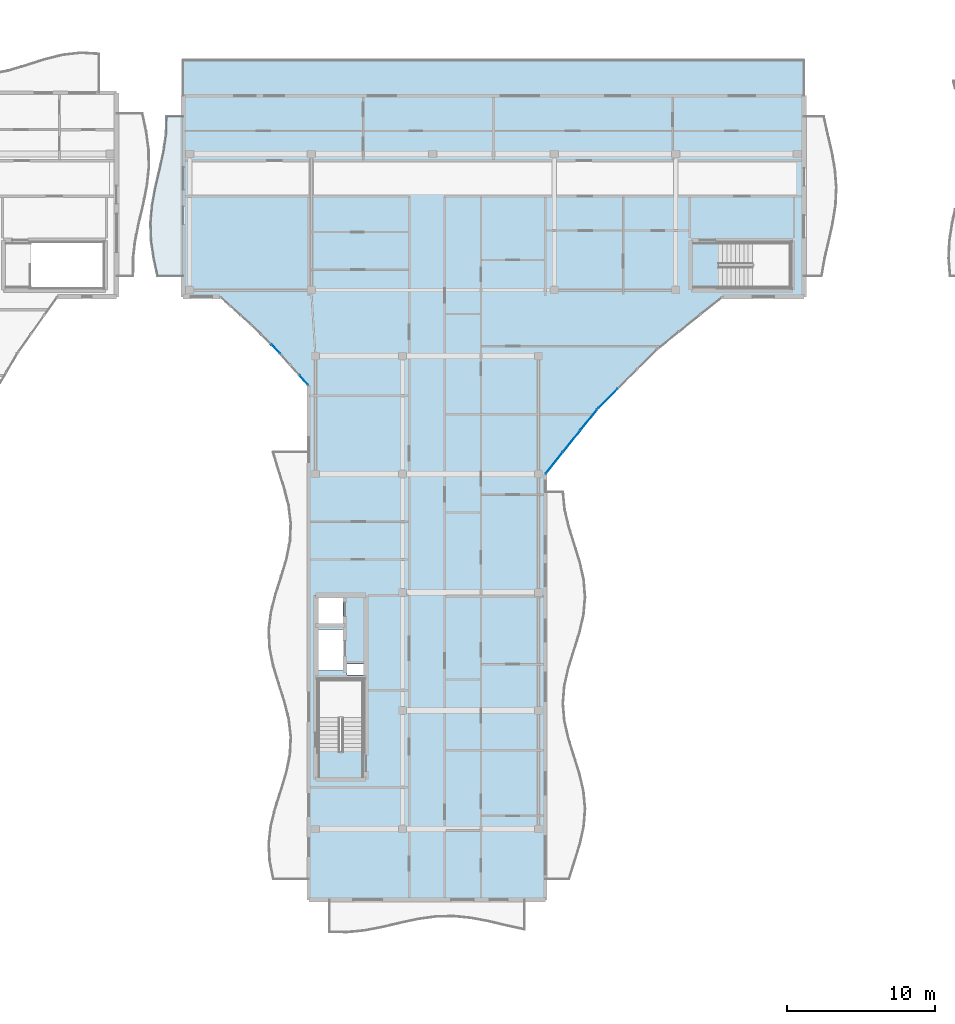
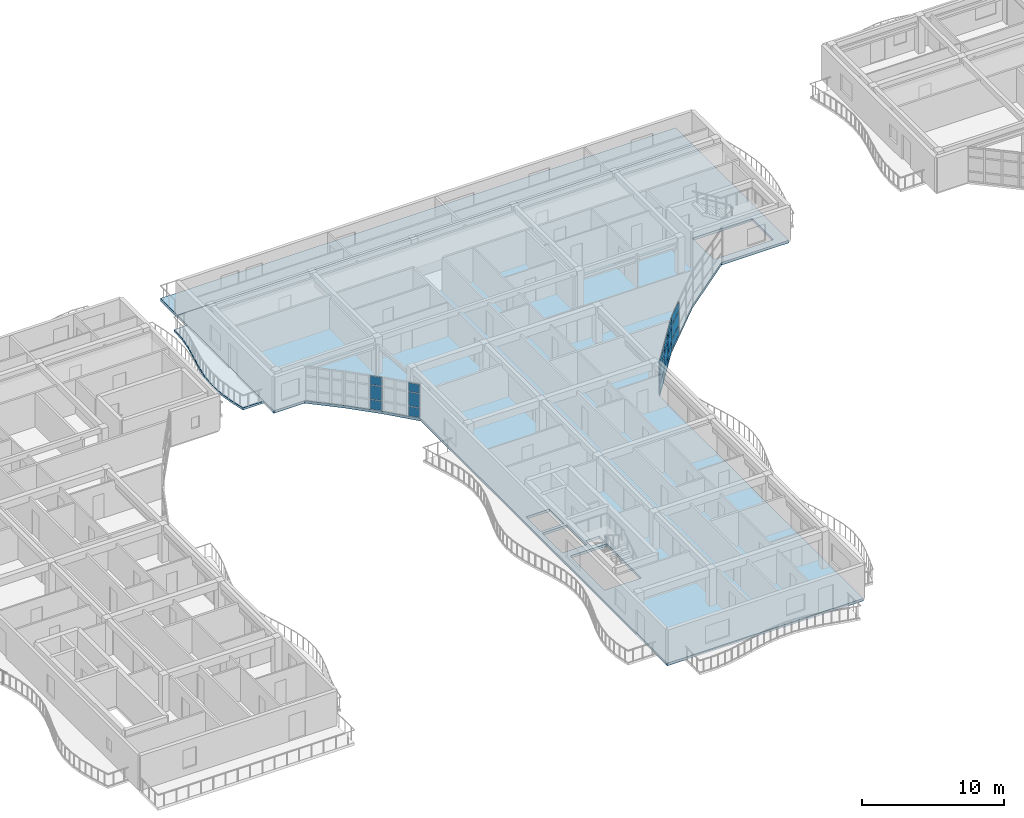
# One storey, part 24 of 68: 18 plates, 3 slabs, 4 elements without a shape of their own.
"""IFC4 building model written with IfcOpenShell, lengths in metres."""

from ifc_helpers import new_model, si_unit, direction, frame, origin, origin_2d, place, context, subcontext, project, spatial, polyline, rectangle, outline, extrude, material, layer, layer_set, type_object, element, aggregate, save


model = new_model("IFC4")

# Units and contexts
model_context = context("Model", 3, precision=1e-05, world=origin(), true_north=direction((0.0, 1.0)))
body_context = subcontext(model_context, "Body", "Model", "MODEL_VIEW")
ifc_project = project(units=[si_unit("LENGTHUNIT", "METRE"), si_unit("AREAUNIT", "SQUARE_METRE"), si_unit("VOLUMEUNIT", "CUBIC_METRE"), si_unit("PLANEANGLEUNIT", "RADIAN"), si_unit("MASSUNIT", "GRAM", prefix="KILO")], contexts=[model_context])

# Site, building, storey
site_placement = place(None, origin())
site = spatial("IfcSite", under=ifc_project, at=site_placement, CompositionType="ELEMENT")
building_placement = place(site_placement, origin())
building = spatial("IfcBuilding", under=site, at=building_placement, Name="Keldmere Railside Commons", CompositionType="ELEMENT")
storey_placement = place(building_placement, frame((0.0, 0.0, 23.360107421875)))
storey = spatial("IfcBuildingStorey", under=building, at=storey_placement, Name="L07", CompositionType="ELEMENT", Elevation=23.360107421875)

# Curtain wall, plates
ifc_material_1 = material(Name="Thermally Broken Aluminium", Category="aluminium")
ifc_layer_1 = layer(ifc_material_1, 0.159912109375, Name="Court Chord Wintergarden CW 5400x2850")
ifc_layer_set_1 = layer_set([ifc_layer_1], Name="Thermally Broken Aluminium")
curtain_wall_type_1 = type_object("IfcCurtainWallType", Name="Court Chord Wintergarden CW 5400x2850", PredefinedType="NOTDEFINED", material=ifc_layer_set_1)
curtain_wall_1_placement = place(storey_placement, origin())
curtain_wall_1 = element("IfcCurtainWall", 1, at=curtain_wall_1_placement, inside=storey, type_object=curtain_wall_type_1, Name="CW-13 CW-L07-068", PredefinedType="NOTDEFINED")
ifc_material_2 = material(Name="Insulated Aluminium Spandrel Panel", Category="aluminium")
ifc_layer_2 = layer(ifc_material_2, 0.0439453125, Name="Insulated Ocher Spandrel Panel 44")
ifc_layer_set_2 = layer_set([ifc_layer_2], Name="Insulated Aluminium Spandrel Panel")
plate_type_1 = type_object("IfcPlateType", Name="Insulated Ocher Spandrel Panel 44", PredefinedType="CURTAIN_PANEL", material=ifc_layer_set_2)
plate_1_placement = place(storey_placement, frame((68.23486328125, 93.11083984375, 0.06494140625), z_axis=(0.0, 0.0, 1.0), x_axis=(-0.707106781187, -0.707106781187, 0.0)))
plate_1 = element("IfcPlate", 2, at=plate_1_placement, type_object=plate_type_1, Name="CW-13 panel 3.1", PredefinedType="CURTAIN_PANEL", context=body_context, shape_type="SweptSolid", body=[
    extrude(rectangle(XDim=1.795654296875, YDim=0.0439453125, at=origin_2d()), origin(), (0.0, 0.0, 1.0), 0.802490234375),
])
plate_2_placement = place(storey_placement, frame((68.23486328125, 93.11083984375, 0.932373046875), z_axis=(0.0, 0.0, 1.0), x_axis=(-0.707106781187, -0.707106781187, 0.0)))
plate_2 = element("IfcPlate", 3, at=plate_2_placement, type_object=plate_type_1, Name="CW-13 panel 3.2", PredefinedType="CURTAIN_PANEL", context=body_context, shape_type="SweptSolid", body=[
    extrude(rectangle(XDim=1.795654296875, YDim=0.0439453125, at=origin_2d()), origin(), (0.0, 0.0, 1.0), 1.18505859375),
])
plate_3_placement = place(storey_placement, frame((68.23486328125, 93.11083984375, 2.182373046875), z_axis=(0.0, 0.0, 1.0), x_axis=(-0.707106781187, -0.707106781187, 0.0)))
plate_3 = element("IfcPlate", 4, at=plate_3_placement, type_object=plate_type_1, Name="CW-13 panel 3.3", PredefinedType="CURTAIN_PANEL", context=body_context, shape_type="SweptSolid", body=[
    extrude(rectangle(XDim=1.795654296875, YDim=0.0439453125, at=origin_2d()), origin(), (0.0, 0.0, 1.0), 0.732421875),
])
aggregate(curtain_wall_1, [plate_1, plate_2, plate_3])

ifc_layer_3 = layer(ifc_material_1, 0.159912109375, Name="Court Chord Wintergarden CW 4800x2850")
ifc_layer_set_3 = layer_set([ifc_layer_3], Name="Thermally Broken Aluminium")
curtain_wall_type_2 = type_object("IfcCurtainWallType", Name="Court Chord Wintergarden CW 4800x2850", PredefinedType="NOTDEFINED", material=ifc_layer_set_3)
curtain_wall_2_placement = place(storey_placement, origin())
curtain_wall_2 = element("IfcCurtainWall", 5, at=curtain_wall_2_placement, inside=storey, type_object=curtain_wall_type_2, Name="CW-12 CW-L07-072", PredefinedType="NOTDEFINED")
plate_4_placement = place(storey_placement, frame((47.674072265625, 94.363525390625, 0.06494140625), z_axis=(0.0, 0.0, 1.0), x_axis=(-0.667558519879, 0.744557333277, 0.0)))
plate_4 = element("IfcPlate", 6, at=plate_4_placement, type_object=plate_type_1, Name="CW-12 panel 1.1", PredefinedType="CURTAIN_PANEL", context=body_context, shape_type="SweptSolid", body=[
    extrude(rectangle(XDim=0.84619140625, YDim=0.0439453125, at=origin_2d()), origin(), (0.0, 0.0, 1.0), 0.802490234375),
])
plate_5_placement = place(storey_placement, frame((47.674072265625, 94.363525390625, 0.932373046875), z_axis=(0.0, 0.0, 1.0), x_axis=(-0.667558519879, 0.744557333277, 0.0)))
plate_5 = element("IfcPlate", 7, at=plate_5_placement, type_object=plate_type_1, Name="CW-12 panel 1.2", PredefinedType="CURTAIN_PANEL", context=body_context, shape_type="SweptSolid", body=[
    extrude(rectangle(XDim=0.84619140625, YDim=0.0439453125, at=origin_2d()), origin(), (0.0, 0.0, 1.0), 1.18505859375),
])
plate_6_placement = place(storey_placement, frame((47.674072265625, 94.363525390625, 2.182373046875), z_axis=(0.0, 0.0, 1.0), x_axis=(-0.667558519879, 0.744557333277, 0.0)))
plate_6 = element("IfcPlate", 8, at=plate_6_placement, type_object=plate_type_1, Name="CW-12 panel 1.3", PredefinedType="CURTAIN_PANEL", context=body_context, shape_type="SweptSolid", body=[
    extrude(rectangle(XDim=0.84619140625, YDim=0.0439453125, at=origin_2d()), origin(), (0.0, 0.0, 1.0), 0.732421875),
])
aggregate(curtain_wall_2, [plate_4, plate_5, plate_6])

curtain_wall_3_placement = place(storey_placement, origin())
curtain_wall_3 = element("IfcCurtainWall", 9, at=curtain_wall_3_placement, inside=storey, type_object=curtain_wall_type_2, Name="CW-12 CW-L07-067", PredefinedType="NOTDEFINED")
ifc_layer_4 = layer(ifc_material_2, 0.050048828125, Name="Insulated Terracotta Spandrel Panel 50")
ifc_layer_set_4 = layer_set([ifc_layer_4], Name="Insulated Aluminium Spandrel Panel")
plate_type_2 = type_object("IfcPlateType", Name="Insulated Terracotta Spandrel Panel 50", PredefinedType="CURTAIN_PANEL", material=ifc_layer_set_4)
plate_7_placement = place(storey_placement, frame((66.951416015625, 91.678955078125, 0.06494140625), z_axis=(0.0, 0.0, 1.0), x_axis=(-0.625768080915, -0.780009172323, 0.0)))
plate_7 = element("IfcPlate", 10, at=plate_7_placement, type_object=plate_type_2, Name="CW-12 panel 1.1", PredefinedType="CURTAIN_PANEL", context=body_context, shape_type="SweptSolid", body=[
    extrude(rectangle(XDim=1.795654296875, YDim=0.050048828125, at=origin_2d()), origin(), (0.0, 0.0, 1.0), 0.802490234375),
])
plate_8_placement = place(storey_placement, frame((66.951416015625, 91.678955078125, 0.932373046875), z_axis=(0.0, 0.0, 1.0), x_axis=(-0.625768080915, -0.780009172323, 0.0)))
plate_8 = element("IfcPlate", 11, at=plate_8_placement, type_object=plate_type_2, Name="CW-12 panel 1.2", PredefinedType="CURTAIN_PANEL", context=body_context, shape_type="SweptSolid", body=[
    extrude(rectangle(XDim=1.795654296875, YDim=0.050048828125, at=origin_2d()), origin(), (0.0, 0.0, 1.0), 1.18505859375),
])
plate_9_placement = place(storey_placement, frame((66.951416015625, 91.678955078125, 2.182373046875), z_axis=(0.0, 0.0, 1.0), x_axis=(-0.625768080915, -0.780009172323, 0.0)))
plate_9 = element("IfcPlate", 12, at=plate_9_placement, type_object=plate_type_2, Name="CW-12 panel 1.3", PredefinedType="CURTAIN_PANEL", context=body_context, shape_type="SweptSolid", body=[
    extrude(rectangle(XDim=1.795654296875, YDim=0.050048828125, at=origin_2d()), origin(), (0.0, 0.0, 1.0), 0.732421875),
])
plate_10_placement = place(storey_placement, frame((65.777099609375, 90.215087890625, 0.06494140625), z_axis=(0.0, 0.0, 1.0), x_axis=(-0.625768080915, -0.780009172323, 0.0)))
plate_10 = element("IfcPlate", 13, at=plate_10_placement, type_object=plate_type_2, Name="CW-12 panel 2.1", PredefinedType="CURTAIN_PANEL", context=body_context, shape_type="SweptSolid", body=[
    extrude(rectangle(XDim=1.828125, YDim=0.050048828125, at=origin_2d()), origin(), (0.0, 0.0, 1.0), 0.802490234375),
])
plate_11_placement = place(storey_placement, frame((65.777099609375, 90.215087890625, 0.932373046875), z_axis=(0.0, 0.0, 1.0), x_axis=(-0.625768080915, -0.780009172323, 0.0)))
plate_11 = element("IfcPlate", 14, at=plate_11_placement, type_object=plate_type_2, Name="CW-12 panel 2.2", PredefinedType="CURTAIN_PANEL", context=body_context, shape_type="SweptSolid", body=[
    extrude(rectangle(XDim=1.828125, YDim=0.050048828125, at=origin_2d()), origin(), (0.0, 0.0, 1.0), 1.18505859375),
])
plate_12_placement = place(storey_placement, frame((65.777099609375, 90.215087890625, 2.182373046875), z_axis=(0.0, 0.0, 1.0), x_axis=(-0.625768080915, -0.780009172323, 0.0)))
plate_12 = element("IfcPlate", 15, at=plate_12_placement, type_object=plate_type_2, Name="CW-12 panel 2.3", PredefinedType="CURTAIN_PANEL", context=body_context, shape_type="SweptSolid", body=[
    extrude(rectangle(XDim=1.828125, YDim=0.050048828125, at=origin_2d()), origin(), (0.0, 0.0, 1.0), 0.732421875),
])
plate_13_placement = place(storey_placement, frame((64.6025390625, 88.7509765625, 0.06494140625), z_axis=(0.0, 0.0, 1.0), x_axis=(-0.625768080915, -0.780009172323, 0.0)))
plate_13 = element("IfcPlate", 16, at=plate_13_placement, type_object=plate_type_2, Name="CW-12 panel 3.1", PredefinedType="CURTAIN_PANEL", context=body_context, shape_type="SweptSolid", body=[
    extrude(rectangle(XDim=1.795654296875, YDim=0.050048828125, at=origin_2d()), origin(), (0.0, 0.0, 1.0), 0.802490234375),
])
plate_14_placement = place(storey_placement, frame((64.6025390625, 88.7509765625, 0.932373046875), z_axis=(0.0, 0.0, 1.0), x_axis=(-0.625768080915, -0.780009172323, 0.0)))
plate_14 = element("IfcPlate", 17, at=plate_14_placement, type_object=plate_type_2, Name="CW-12 panel 3.2", PredefinedType="CURTAIN_PANEL", context=body_context, shape_type="SweptSolid", body=[
    extrude(rectangle(XDim=1.795654296875, YDim=0.050048828125, at=origin_2d()), origin(), (0.0, 0.0, 1.0), 1.18505859375),
])
plate_15_placement = place(storey_placement, frame((64.6025390625, 88.7509765625, 2.182373046875), z_axis=(0.0, 0.0, 1.0), x_axis=(-0.625768080915, -0.780009172323, 0.0)))
plate_15 = element("IfcPlate", 18, at=plate_15_placement, type_object=plate_type_2, Name="CW-12 panel 3.3", PredefinedType="CURTAIN_PANEL", context=body_context, shape_type="SweptSolid", body=[
    extrude(rectangle(XDim=1.795654296875, YDim=0.050048828125, at=origin_2d()), origin(), (0.0, 0.0, 1.0), 0.732421875),
])
aggregate(curtain_wall_3, [plate_7, plate_8, plate_9, plate_10, plate_11, plate_12, plate_13, plate_14, plate_15])

curtain_wall_4_placement = place(storey_placement, origin())
curtain_wall_4 = element("IfcCurtainWall", 19, at=curtain_wall_4_placement, inside=storey, type_object=curtain_wall_type_1, Name="CW-13 CW-L07-071", PredefinedType="NOTDEFINED")
plate_16_placement = place(storey_placement, frame((45.764892578125, 96.453125, 0.06494140625), z_axis=(0.0, 0.0, 1.0), x_axis=(-0.707106781187, 0.707106781187, 0.0)))
plate_16 = element("IfcPlate", 20, at=plate_16_placement, type_object=plate_type_2, Name="CW-13 panel 1.1", PredefinedType="CURTAIN_PANEL", context=body_context, shape_type="SweptSolid", body=[
    extrude(rectangle(XDim=0.84619140625, YDim=0.050048828125, at=origin_2d()), origin(), (0.0, 0.0, 1.0), 0.802490234375),
])
plate_17_placement = place(storey_placement, frame((45.764892578125, 96.453125, 0.932373046875), z_axis=(0.0, 0.0, 1.0), x_axis=(-0.707106781187, 0.707106781187, 0.0)))
plate_17 = element("IfcPlate", 21, at=plate_17_placement, type_object=plate_type_2, Name="CW-13 panel 1.2", PredefinedType="CURTAIN_PANEL", context=body_context, shape_type="SweptSolid", body=[
    extrude(rectangle(XDim=0.84619140625, YDim=0.050048828125, at=origin_2d()), origin(), (0.0, 0.0, 1.0), 1.18505859375),
])
plate_18_placement = place(storey_placement, frame((45.764892578125, 96.453125, 2.182373046875), z_axis=(0.0, 0.0, 1.0), x_axis=(-0.707106781187, 0.707106781187, 0.0)))
plate_18 = element("IfcPlate", 22, at=plate_18_placement, type_object=plate_type_2, Name="CW-13 panel 1.3", PredefinedType="CURTAIN_PANEL", context=body_context, shape_type="SweptSolid", body=[
    extrude(rectangle(XDim=0.84619140625, YDim=0.050048828125, at=origin_2d()), origin(), (0.0, 0.0, 1.0), 0.732421875),
])
aggregate(curtain_wall_4, [plate_16, plate_17, plate_18])

# Slabs
ifc_material_3 = material(Name="Concrete H-35 (C35/45)", Category="concrete")
ifc_layer_5 = layer(ifc_material_3, 0.25, Name="Planted Terrace Roof Slab 250")
ifc_layer_set_5 = layer_set([ifc_layer_5], Name="Concrete H-35 (C35/45)")
slab_type_1 = type_object("IfcSlabType", Name="Planted Terrace Roof Slab 250", PredefinedType="ROOF", material=ifc_layer_set_5)
slab_1_placement = place(storey_placement, frame((0.0, 0.0, -0.25)))
element("IfcSlab", 23, at=slab_1_placement, inside=storey, type_object=slab_type_1, Name="RT-1 TERRC-L07-029", PredefinedType="ROOF", context=body_context, shape_type="SweptSolid", body=[
    extrude(outline(polyline([(39.5, 116.0), (39.5, 113.610107421875), (81.5, 113.610107421875), (81.5, 116.0), (39.5, 116.0)])), origin(), (0.0, 0.0, 1.0), 0.25),
])
ifc_material_4 = material(Name="Concrete H-30 (C30/37)", Category="concrete")
ifc_layer_6 = layer(ifc_material_4, 0.219970703125, Name="Residential Flat Slab 220")
ifc_layer_set_6 = layer_set([ifc_layer_6], Name="Concrete H-30 (C30/37)")
slab_type_2 = type_object("IfcSlabType", Name="Residential Flat Slab 220", PredefinedType="FLOOR", material=ifc_layer_set_6)
slab_2_placement = place(storey_placement, frame((0.0, 0.0, -0.22021484375)))
element("IfcSlab", 24, at=slab_2_placement, inside=storey, type_object=slab_type_2, Name="FS-2 BLKC-L07-028", PredefinedType="FLOOR", context=body_context, shape_type="SweptSolid", body=[
    extrude(outline(polyline([(48.0, 59.199951171875), (64.0, 59.199951171875), (64.0, 88.0), (67.553955078125, 92.429931640625), (71.570068359375, 96.446044921875), (76.0, 100.0), (81.5, 100.0), (81.5, 113.60009765625), (39.5, 113.60009765625), (39.5, 100.0), (42.0, 100.0), (44.10791015625, 98.110107421875), (46.110107421875, 96.10791015625), (48.0, 94.0), (48.0, 59.199951171875)]), holes=[polyline([(51.675048828125, 69.22509765625), (48.675048828125, 69.22509765625), (48.675048828125, 74.074951171875), (51.675048828125, 74.074951171875), (51.675048828125, 69.22509765625)]), polyline([(50.60009765625, 74.419921875), (50.60009765625, 75.159912109375), (51.699951171875, 75.159912109375), (51.699951171875, 74.419921875), (50.60009765625, 74.419921875)]), polyline([(50.39990234375, 74.699951171875), (48.39990234375, 74.699951171875), (48.39990234375, 77.5), (50.39990234375, 77.5), (50.39990234375, 74.699951171875)]), polyline([(50.300048828125, 77.75), (48.39990234375, 77.75), (48.39990234375, 79.800048828125), (50.300048828125, 79.800048828125), (50.300048828125, 77.75)]), polyline([(75.72509765625, 103.625), (80.574951171875, 103.625), (80.574951171875, 100.625), (75.72509765625, 100.625), (75.72509765625, 103.625)])]), origin(), (0.0, 0.0, 1.0), 0.22021484375),
])
ifc_material_5 = material(Name="White Precast Concrete H-35 (C35/45)", Category="concrete")
ifc_layer_7 = layer(ifc_material_5, 0.179931640625, Name="Sinusoidal Wave Balcony Slab 180")
ifc_layer_set_7 = layer_set([ifc_layer_7], Name="White Precast Concrete H-35 (C35/45)")
slab_type_3 = type_object("IfcSlabType", Name="Sinusoidal Wave Balcony Slab 180", PredefinedType="FLOOR", material=ifc_layer_set_7)
slab_3_placement = place(storey_placement, frame((0.0, 0.0, -0.18017578125)))
element("IfcSlab", 25, at=slab_3_placement, inside=storey, type_object=slab_type_3, Name="WB-1 C L07 WW Wave Balcony", PredefinedType="FLOOR", context=body_context, shape_type="SweptSolid", body=[
    extrude(outline(polyline([(39.5, 101.39990234375), (39.5, 102.60009765625), (39.5, 103.800048828125), (39.5, 105.0), (39.5, 106.199951171875), (39.5, 107.39990234375), (39.5, 108.60009765625), (39.5, 109.800048828125), (39.5, 111.0), (39.5, 112.199951171875), (38.396240234375, 112.199951171875), (38.35498046875, 111.0), (38.1787109375, 109.800048828125), (37.9140625, 108.60009765625), (37.63232421875, 107.39990234375), (37.408935546875, 106.199951171875), (37.3037109375, 105.0), (37.344970703125, 103.800048828125), (37.521484375, 102.60009765625), (37.785888671875, 101.39990234375), (39.5, 101.39990234375)])), origin(), (0.0, 0.0, 1.0), 0.18017578125),
])

save(model, "model.ifc")
